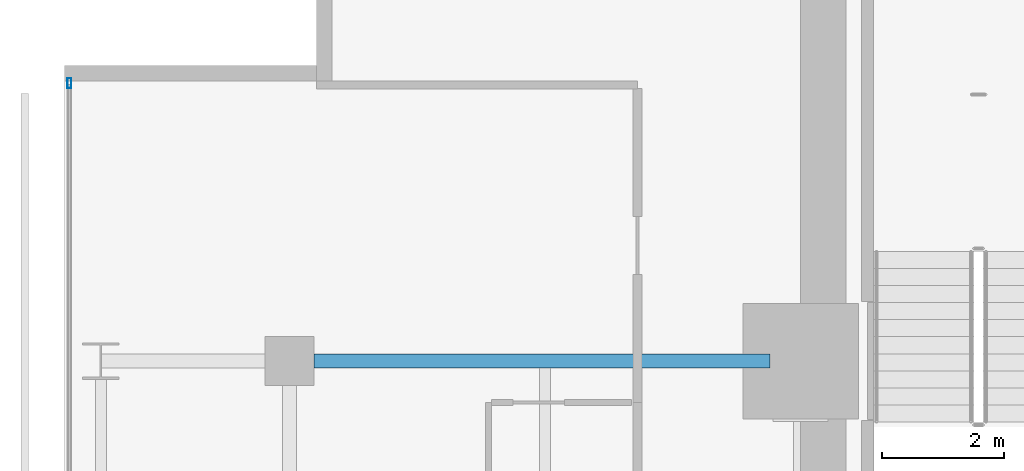
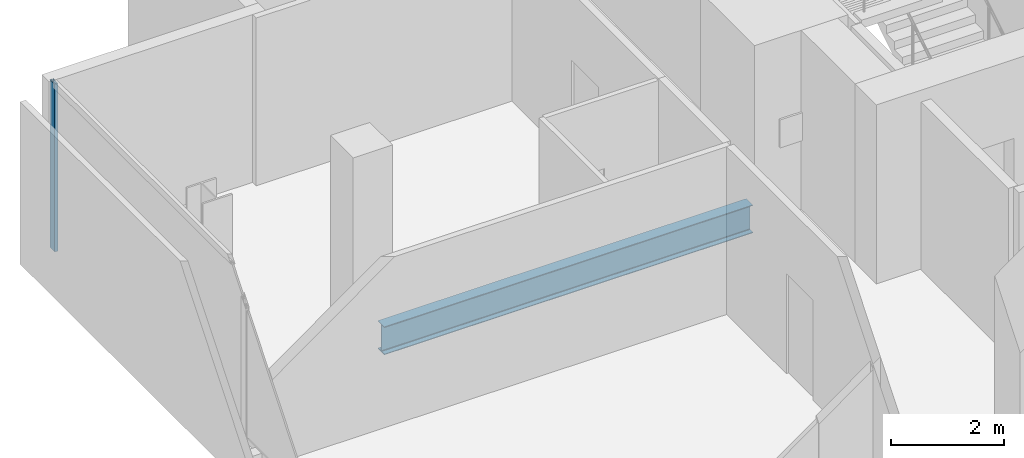
# One storey, part 20 of 34: 1 beam, 1 member, 1 element without a shape of its own.
"""IFC4 building model written with IfcOpenShell, lengths in metres."""

from ifc_helpers import new_model, si_unit, direction, frame, origin, origin_2d, place, context, subcontext, project, spatial, hollow_rectangle, i_section, extrude, material, layer, layer_set, material_profile, profile_set, type_object, element, aggregate, save


model = new_model("IFC4")

# Units and contexts
model_context = context("Model", 3, precision=1e-05, world=origin(), true_north=direction((0.0, 1.0)))
body_context = subcontext(model_context, "Body", "Model", "MODEL_VIEW")
ifc_project = project(units=[si_unit("LENGTHUNIT", "METRE"), si_unit("AREAUNIT", "SQUARE_METRE"), si_unit("VOLUMEUNIT", "CUBIC_METRE"), si_unit("PLANEANGLEUNIT", "RADIAN"), si_unit("MASSUNIT", "GRAM", prefix="KILO")], contexts=[model_context])

# Site, building, storey
site_placement = place(None, origin())
site = spatial("IfcSite", under=ifc_project, at=site_placement, CompositionType="ELEMENT")
building_placement = place(site_placement, origin())
building = spatial("IfcBuilding", under=site, at=building_placement, Name="Maruvema Waterfront Hotel and Observation Tower", CompositionType="ELEMENT")
storey_placement = place(building_placement, frame((0.0, 0.0, 189.0)))
storey = spatial("IfcBuildingStorey", under=building, at=storey_placement, Name="L46", CompositionType="ELEMENT", Elevation=189.0)

# Curtain wall, member
ifc_material_1 = material(Name="Anodised bronze aluminium and solar-control low-E IGU", Category="aluminium")
ifc_layer = layer(ifc_material_1, 0.159912109375, Name="Zone 2 Amber Inner Thermal Curtain Wall System CW-03")
ifc_layer_set = layer_set([ifc_layer], Name="Anodised bronze aluminium and solar-control low-E IGU")
curtain_wall_type = type_object("IfcCurtainWallType", Name="Zone 2 Amber Inner Thermal Curtain Wall System CW-03", PredefinedType="USERDEFINED", material=ifc_layer_set)
curtain_wall_placement = place(storey_placement, origin())
curtain_wall = element("IfcCurtainWall", 1, at=curtain_wall_placement, inside=storey, type_object=curtain_wall_type, Name="L46 Curtain Wall CW-L46-W", ObjectType="UNITISED CURTAIN WALL", PredefinedType="USERDEFINED")
ifc_material_2 = material(Name="Anodised architectural bronze aluminium", Category="aluminium")
ifc_material_profile_1 = material_profile(ifc_material_2, hollow_rectangle(XDim=0.06494140625, YDim=0.1650390625, WallThickness=0.00390625, at=origin_2d()), Name="ALU-M65x165")
ifc_profile_set_1 = profile_set([ifc_material_profile_1], Name="Anodised architectural bronze aluminium")
member_type = type_object("IfcMemberType", Name="Curtain Wall Primary Mullion ALU-M65x165", PredefinedType="MULLION", material=ifc_profile_set_1)
member_placement = place(storey_placement, frame((13.179931640625, 49.570068359375, 0.0), z_axis=(0.0, 0.0, 1.0), x_axis=(1.0, 0.0, 0.0)))
member = element("IfcMember", 2, at=member_placement, type_object=member_type, Name="CW-03 mullion 1", PredefinedType="MULLION", context=body_context, shape_type="SweptSolid", body=[
    extrude(hollow_rectangle(XDim=0.06494140625, YDim=0.1650390625, WallThickness=0.00390625, at=origin_2d()), origin(), (0.0, 0.0, 1.0), 3.610107421875),
])
aggregate(curtain_wall, [member])

# Beam
ifc_material_3 = material(Name="Steel ASTM A572 Grade 50", Category="steel")
ifc_material_profile_2 = material_profile(ifc_material_3, i_section(OverallWidth=0.22802734375, OverallDepth=0.60302734375, WebThickness=0.010498046875, FlangeThickness=0.014892578125, FilletRadius=0.01806640625, at=origin_2d()), Name="W610x101.0")
ifc_profile_set_2 = profile_set([ifc_material_profile_2], Name="Steel ASTM A572 Grade 50")
beam_type = type_object("IfcBeamType", Name="Primary Floor Girder W610x101.0", PredefinedType="BEAM", material=ifc_profile_set_2)
beam_placement = place(storey_placement, frame((17.199951171875, 45.0, -0.54150390625), z_axis=(1.0, 0.0, 0.0), x_axis=(0.0, 1.0, 0.0)))
element("IfcBeam", 3, at=beam_placement, inside=storey, type_object=beam_type, Name="L46 Floor Girder EW-31", PredefinedType="BEAM", context=body_context, shape_type="SweptSolid", body=[
    extrude(i_section(OverallWidth=0.22802734375, OverallDepth=0.60302734375, WebThickness=0.010498046875, FlangeThickness=0.014892578125, FilletRadius=0.01806640625, at=origin_2d()), origin(), (0.0, 0.0, 1.0), 7.5),
])

save(model, "model.ifc")
